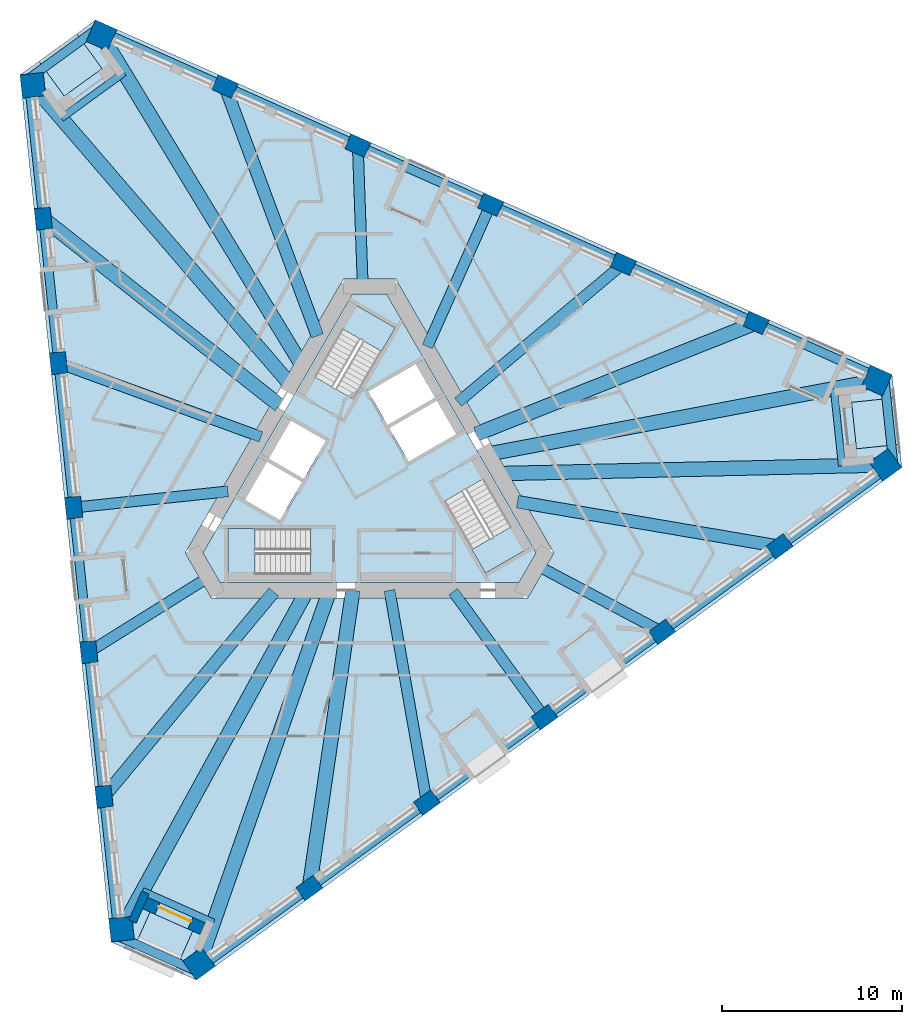
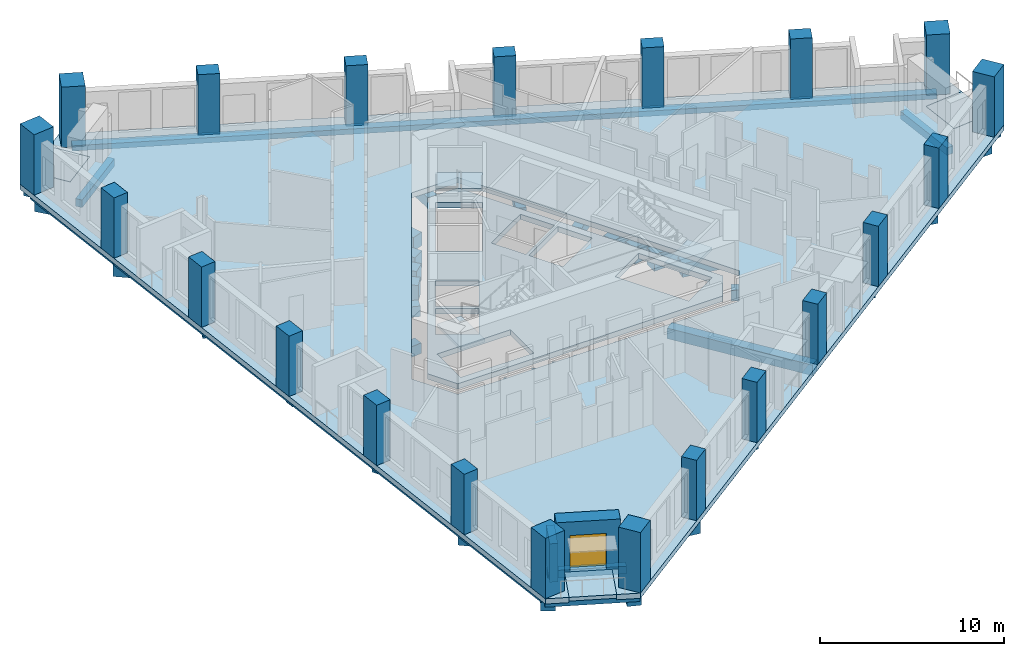
# One storey, part 1 of 14: 30 beams, 21 columns, 8 slabs, 2 walls, 1 door, 1 opening, 3 elements without a shape of their own.
"""IFC4 building model written with IfcOpenShell, lengths in metres."""

from ifc_helpers import new_model, si_unit, direction, frame, frame_2d, origin, origin_2d, place, context, subcontext, project, spatial, polyline, rectangle, outline, extrude, material, layer, layer_set, material_profile, profile_set, type_object, element, fill, aggregate, save


model = new_model("IFC4")

# Units and contexts
model_context = context("Model", 3, precision=1e-05, world=origin(), true_north=direction((0.0, 1.0)))
body_context = subcontext(model_context, "Body", "Model", "MODEL_VIEW")
ifc_project = project(units=[si_unit("LENGTHUNIT", "METRE"), si_unit("AREAUNIT", "SQUARE_METRE"), si_unit("VOLUMEUNIT", "CUBIC_METRE"), si_unit("PLANEANGLEUNIT", "RADIAN"), si_unit("MASSUNIT", "GRAM", prefix="KILO")], contexts=[model_context])

# Site, building, storey
site_placement = place(None, origin())
site = spatial("IfcSite", under=ifc_project, at=site_placement, CompositionType="ELEMENT")
building_placement = place(site_placement, origin())
building = spatial("IfcBuilding", under=site, at=building_placement, Name="Tramontana Tower", CompositionType="ELEMENT")
storey_placement = place(building_placement, frame((0.0, 0.0, 190.800048828125)))
storey = spatial("IfcBuildingStorey", under=building, at=storey_placement, Name="L44", CompositionType="ELEMENT", Elevation=190.800048828125)

# Columns
ifc_material_1 = material(Name="Concrete 55 MPa", Category="concrete")
ifc_material_profile_1 = material_profile(ifc_material_1, rectangle(XDim=1.300048828125, YDim=1.300048828125, at=origin_2d()), Name="Mega column 1300X1300 55 MPa")
ifc_profile_set_1 = profile_set([ifc_material_profile_1], Name="Concrete 55 MPa")
column_type_1 = type_object("IfcColumnType", Name="Mega column 1300X1300 55 MPa", PredefinedType="COLUMN", material=ifc_profile_set_1)
for number, where, z_axis, x_axis, name in (
    (1, (-18.72705078125, 21.760498046875, 0.0), (0.0, 0.0, 1.0), (0.104528463268, -0.994521895368, 0.0), "Mega column C4K1 L44"),
    (2, (-13.793701171875, -25.178466796875, 0.0), (0.0, 0.0, 1.0), (0.104528463268, -0.994521895368, 0.0), "Mega column C4K2 L44"),
    (3, (-9.4814453125, -27.098388671875, 0.0), (0.0, 0.0, 1.0), (0.809016994375, 0.587785252292, 0.0), "Mega column C4K3 L44"),
    (4, (28.7021484375, 0.6435546875, 0.0), (0.0, 0.0, 1.0), (0.809016994375, 0.587785252292, 0.0), "Mega column C4K4 L44"),
    (5, (28.208740234375, 5.337890625, 0.0), (0.0, 0.0, 1.0), (-0.913545457643, 0.406736643076, 0.0), "Mega column C4K5 L44"),
    (6, (-14.908447265625, 24.534912109375, 0.0), (0.0, 0.0, 1.0), (-0.913545457643, 0.406736643076, 0.0), "Mega column C4K6 L44"),
):
    element("IfcColumn", number, at=place(storey_placement, frame(where, z_axis=z_axis, x_axis=x_axis)), inside=storey, type_object=column_type_1, Name=name, PredefinedType="COLUMN", context=body_context, shape_type="SweptSolid", body=[
        extrude(rectangle(XDim=1.300048828125, YDim=1.300048828125, at=origin_2d()), origin(), (0.0, 0.0, 1.0), 4.0),
    ])
ifc_material_2 = material(Name="Concrete 55 MPa", Category="concrete")
ifc_material_profile_2 = material_profile(ifc_material_2, rectangle(XDim=1.199951171875, YDim=0.89990234375, at=origin_2d()), Name="Pier column 1200X900 55 MPa")
ifc_profile_set_2 = profile_set([ifc_material_profile_2], Name="Concrete 55 MPa")
column_type_2 = type_object("IfcColumnType", Name="Pier column 1200X900 55 MPa", PredefinedType="COLUMN", material=ifc_profile_set_2)
for number, where, z_axis, x_axis, name in (
    (7, (-18.149169921875, 14.347412109375, 0.0), (0.0, 0.0, 1.0), (0.104528463268, -0.994521895368, 0.0), "Pier column C4F01 L44"),
    (8, (-17.30419921875, 6.30859375, 0.0), (0.0, 0.0, 1.0), (0.104528463268, -0.994521895368, 0.0), "Pier column C4F02 L44"),
    (9, (-16.459228515625, -1.72998046875, 0.0), (0.0, 0.0, 1.0), (0.104528463268, -0.994521895368, 0.0), "Pier column C4F03 L44"),
    (10, (-15.614501953125, -9.7685546875, 0.0), (0.0, 0.0, 1.0), (0.104528463268, -0.994521895368, 0.0), "Pier column C4F04 L44"),
    (11, (-14.76953125, -17.80712890625, 0.0), (0.0, 0.0, 1.0), (0.104528463268, -0.994521895368, 0.0), "Pier column C4F05 L44"),
    (12, (-3.3505859375, -22.891357421875, 0.0), (0.0, 0.0, 1.0), (0.809016994375, 0.587785252292, 0.0), "Pier column C4F06 L44"),
    (13, (3.188720703125, -18.14013671875, 0.0), (0.0, 0.0, 1.0), (0.809016994375, 0.587785252292, 0.0), "Pier column C4F07 L44"),
    (14, (9.727783203125, -13.38916015625, 0.0), (0.0, 0.0, 1.0), (0.809016994375, 0.587785252292, 0.0), "Pier column C4F08 L44"),
    (15, (16.26708984375, -8.63818359375, 0.0), (0.0, 0.0, 1.0), (0.809016994375, 0.587785252292, 0.0), "Pier column C4F09 L44"),
    (16, (22.80615234375, -3.88720703125, 0.0), (0.0, 0.0, 1.0), (0.809016994375, 0.587785252292, 0.0), "Pier column C4F10 L44"),
    (17, (21.499755859375, 8.5439453125, 0.0), (0.0, 0.0, 1.0), (-0.913545457643, 0.406736643076, 0.0), "Pier column C4F11 L44"),
    (18, (14.115478515625, 11.83154296875, 0.0), (0.0, 0.0, 1.0), (-0.913545457643, 0.406736643076, 0.0), "Pier column C4F12 L44"),
    (19, (6.7314453125, 15.119140625, 0.0), (0.0, 0.0, 1.0), (-0.913545457643, 0.406736643076, 0.0), "Pier column C4F13 L44"),
    (20, (-0.652587890625, 18.40673828125, 0.0), (0.0, 0.0, 1.0), (-0.913545457643, 0.406736643076, 0.0), "Pier column C4F14 L44"),
    (21, (-8.03662109375, 21.6943359375, 0.0), (0.0, 0.0, 1.0), (-0.913545457643, 0.406736643076, 0.0), "Pier column C4F15 L44"),
):
    element("IfcColumn", number, at=place(storey_placement, frame(where, z_axis=z_axis, x_axis=x_axis)), inside=storey, type_object=column_type_2, Name=name, PredefinedType="COLUMN", context=body_context, shape_type="SweptSolid", body=[
        extrude(rectangle(XDim=1.199951171875, YDim=0.89990234375, at=origin_2d()), origin(), (0.0, 0.0, 1.0), 4.0),
    ])

# Beams
ifc_material_3 = material(Name="Concrete 40 MPa", Category="concrete")
ifc_material_profile_3 = material_profile(ifc_material_3, rectangle(XDim=0.5, YDim=0.35009765625, at=origin_2d()), Name="RC EDGE BEAM 500X350 40 MPa")
ifc_profile_set_3 = profile_set([ifc_material_profile_3], Name="Concrete 40 MPa")
beam_type_1 = type_object("IfcBeamType", Name="RC EDGE BEAM 500X350 40 MPa", PredefinedType="SPANDREL", material=ifc_profile_set_3)
for number, where, z_axis, x_axis, name in (
    (22, (-18.926025390625, 21.739501953125, -0.525146484375), (0.104525646884, -0.994522191378, 0.0), (0.994522191378, 0.104525646884, 0.0), "Spandrel beam S0 L44"),
    (23, (-9.364013671875, -27.26025390625, -0.525146484375), (0.809017612716, 0.587784401218, 0.0), (-0.587784401218, 0.809017612716, 0.0), "Spandrel beam S1 L44"),
):
    element("IfcBeam", number, at=place(storey_placement, frame(where, z_axis=z_axis, x_axis=x_axis)), inside=storey, type_object=beam_type_1, Name=name, PredefinedType="SPANDREL", context=body_context, shape_type="SweptSolid", body=[
        extrude(rectangle(XDim=0.5, YDim=0.35009765625, at=origin_2d()), origin(), (0.0, 0.0, 1.0), 47.197509765625),
    ])
beam_1_placement = place(storey_placement, frame((28.2900390625, 5.520751953125, -0.525146484375), z_axis=(-0.913546423332, 0.406734474095, 0.0), x_axis=(-0.406734474095, -0.913546423332, 0.0)))
element("IfcBeam", 24, at=beam_1_placement, inside=storey, type_object=beam_type_1, Name="Spandrel beam S2 L44", PredefinedType="SPANDREL", context=body_context, shape_type="SweptSolid", body=[
    extrude(rectangle(XDim=0.5, YDim=0.35009765625, at=origin_2d()), origin(), (0.0, 0.0, 1.0), 47.197265625),
])
beam_2_placement = place(storey_placement, frame((-14.973388671875, 25.029052734375, -0.525146484375), z_axis=(-0.809008263593, -0.587797268995, 0.0), x_axis=(0.587797268995, -0.809008263593, 0.0)))
element("IfcBeam", 25, at=beam_2_placement, inside=storey, type_object=beam_type_1, Name="Spandrel beam K0 L44", PredefinedType="SPANDREL", context=body_context, shape_type="SweptSolid", body=[
    extrude(rectangle(XDim=0.5, YDim=0.35009765625, at=origin_2d()), origin(), (0.0, 0.0, 1.0), 5.196044921875),
])
for number, where, z_axis, x_axis, name in (
    (26, (-14.189208984375, -25.481689453125, -0.525146484375), (0.91354592127, -0.40673560175, 0.0), (0.40673560175, 0.91354592127, 0.0), "Spandrel beam K1 L44"),
    (27, (29.162353515625, 0.45263671875, -0.525146484375), (-0.104494011766, 0.994525515764, 0.0), (-0.994525515764, -0.104494011766, 0.0), "Spandrel beam K2 L44"),
):
    element("IfcBeam", number, at=place(storey_placement, frame(where, z_axis=z_axis, x_axis=x_axis)), inside=storey, type_object=beam_type_1, Name=name, PredefinedType="SPANDREL", context=body_context, shape_type="SweptSolid", body=[
        extrude(rectangle(XDim=0.5, YDim=0.35009765625, at=origin_2d()), origin(), (0.0, 0.0, 1.0), 5.1962890625),
    ])
ifc_material_4 = material(Name="Concrete 40 MPa", Category="concrete")
ifc_material_profile_4 = material_profile(ifc_material_4, rectangle(XDim=0.60009765625, YDim=0.699951171875, at=origin_2d()), Name="RC GIRDER 600X700 40 MPa")
ifc_profile_set_4 = profile_set([ifc_material_profile_4], Name="Concrete 40 MPa")
beam_type_2 = type_object("IfcBeamType", Name="RC GIRDER 600X700 40 MPa", PredefinedType="BEAM", material=ifc_profile_set_4)
beam_3_placement = place(storey_placement, frame((-17.30419921875, 6.30859375, -0.699951171875), z_axis=(0.939513090247, -0.342512997205, 0.0), x_axis=(0.342512997205, 0.939513090247, 0.0)))
element("IfcBeam", 28, at=beam_3_placement, inside=storey, type_object=beam_type_2, Name="Radial girder C4F02 L44", PredefinedType="BEAM", context=body_context, shape_type="SweptSolid", body=[
    extrude(rectangle(XDim=0.60009765625, YDim=0.699951171875, at=origin_2d()), origin(), (0.0, 0.0, 1.0), 11.989990234375),
])
beam_4_placement = place(storey_placement, frame((-16.459228515625, -1.72998046875, -0.699951171875), z_axis=(0.994520630985, 0.104540492367, 0.0), x_axis=(-0.104540492367, 0.994520630985, 0.0)))
element("IfcBeam", 29, at=beam_4_placement, inside=storey, type_object=beam_type_2, Name="Radial girder C4F03 L44", PredefinedType="BEAM", context=body_context, shape_type="SweptSolid", body=[
    extrude(rectangle(XDim=0.60009765625, YDim=0.699951171875, at=origin_2d()), origin(), (0.0, 0.0, 1.0), 8.631591796875),
])
beam_5_placement = place(storey_placement, frame((-15.614501953125, -9.7685546875, -0.699951171875), z_axis=(0.847767192537, 0.530368539091, 0.0), x_axis=(-0.530368539091, 0.847767192537, 0.0)))
element("IfcBeam", 30, at=beam_5_placement, inside=storey, type_object=beam_type_2, Name="Radial girder C4F04 L44", PredefinedType="BEAM", context=body_context, shape_type="SweptSolid", body=[
    extrude(rectangle(XDim=0.60009765625, YDim=0.699951171875, at=origin_2d()), origin(), (0.0, 0.0, 1.0), 7.83642578125),
])
beam_6_placement = place(storey_placement, frame((3.188720703125, -18.14013671875, -0.699951171875), z_axis=(-0.173139447083, 0.984897320467, 0.0), x_axis=(-0.984897320467, -0.173139447083, 0.0)))
element("IfcBeam", 31, at=beam_6_placement, inside=storey, type_object=beam_type_2, Name="Radial girder C4F07 L44", PredefinedType="BEAM", context=body_context, shape_type="SweptSolid", body=[
    extrude(rectangle(XDim=0.60009765625, YDim=0.699951171875, at=origin_2d()), origin(), (0.0, 0.0, 1.0), 11.989990234375),
])
beam_7_placement = place(storey_placement, frame((9.727783203125, -13.38916015625, -0.699951171875), z_axis=(-0.587793224159, 0.809011202415, 0.0), x_axis=(-0.809011202415, -0.587793224159, 0.0)))
element("IfcBeam", 32, at=beam_7_placement, inside=storey, type_object=beam_type_2, Name="Radial girder C4F08 L44", PredefinedType="BEAM", context=body_context, shape_type="SweptSolid", body=[
    extrude(rectangle(XDim=0.60009765625, YDim=0.699951171875, at=origin_2d()), origin(), (0.0, 0.0, 1.0), 8.63134765625),
])
beam_8_placement = place(storey_placement, frame((16.26708984375, -8.63818359375, -0.699951171875), z_axis=(-0.883198396805, 0.468999564905, 0.0), x_axis=(-0.468999564905, -0.883198396805, 0.0)))
element("IfcBeam", 33, at=beam_8_placement, inside=storey, type_object=beam_type_2, Name="Radial girder C4F09 L44", PredefinedType="BEAM", context=body_context, shape_type="SweptSolid", body=[
    extrude(rectangle(XDim=0.60009765625, YDim=0.699951171875, at=origin_2d()), origin(), (0.0, 0.0, 1.0), 7.83642578125),
])
beam_9_placement = place(storey_placement, frame((14.115478515625, 11.83154296875, -0.699951171875), z_axis=(-0.766377147971, -0.642390898961, 0.0), x_axis=(0.642390898961, -0.766377147971, 0.0)))
element("IfcBeam", 34, at=beam_9_placement, inside=storey, type_object=beam_type_2, Name="Radial girder C4F12 L44", PredefinedType="BEAM", context=body_context, shape_type="SweptSolid", body=[
    extrude(rectangle(XDim=0.60009765625, YDim=0.699951171875, at=origin_2d()), origin(), (0.0, 0.0, 1.0), 11.98974609375),
])
beam_10_placement = place(storey_placement, frame((6.7314453125, 15.119140625, -0.699951171875), z_axis=(-0.406736735655, -0.913545416424, 0.0), x_axis=(0.913545416424, -0.406736735655, 0.0)))
element("IfcBeam", 35, at=beam_10_placement, inside=storey, type_object=beam_type_2, Name="Radial girder C4F13 L44", PredefinedType="BEAM", context=body_context, shape_type="SweptSolid", body=[
    extrude(rectangle(XDim=0.60009765625, YDim=0.699951171875, at=origin_2d()), origin(), (0.0, 0.0, 1.0), 8.631591796875),
])
beam_11_placement = place(storey_placement, frame((-0.652587890625, 18.40673828125, -0.699951171875), z_axis=(0.035422608777, -0.999372422467, 0.0), x_axis=(0.999372422467, 0.035422608777, 0.0)))
element("IfcBeam", 36, at=beam_11_placement, inside=storey, type_object=beam_type_2, Name="Radial girder C4F14 L44", PredefinedType="BEAM", context=body_context, shape_type="SweptSolid", body=[
    extrude(rectangle(XDim=0.60009765625, YDim=0.699951171875, at=origin_2d()), origin(), (0.0, 0.0, 1.0), 7.83642578125),
])
ifc_material_5 = material(Name="Concrete 40 MPa", Category="concrete")
ifc_material_profile_5 = material_profile(ifc_material_5, rectangle(XDim=0.699951171875, YDim=0.89990234375, at=origin_2d()), Name="RC GIRDER 700X900 40 MPa")
ifc_profile_set_5 = profile_set([ifc_material_profile_5], Name="Concrete 40 MPa")
beam_type_3 = type_object("IfcBeamType", Name="RC GIRDER 700X900 40 MPa", PredefinedType="BEAM", material=ifc_profile_set_5)
for number, where, z_axis, x_axis, name in (
    (37, (-14.76953125, -17.80712890625, -0.800048828125), (0.638406477844, 0.769699401745, 0.0), (-0.769699401745, 0.638406477844, 0.0), "Radial girder C4F05 L44"),
    (38, (22.806396484375, -3.88720703125, -0.800048828125), (-0.985783673381, 0.168019490821, 0.0), (-0.168019490821, -0.985783673381, 0.0), "Radial girder C4F10 L44"),
    (39, (-8.03662109375, 21.6943359375, -0.800048828125), (0.347381556139, -0.93772386898, 0.0), (0.93772386898, 0.347381556139, 0.0), "Radial girder C4F15 L44"),
):
    element("IfcBeam", number, at=place(storey_placement, frame(where, z_axis=z_axis, x_axis=x_axis)), inside=storey, type_object=beam_type_3, Name=name, PredefinedType="BEAM", context=body_context, shape_type="SweptSolid", body=[
        extrude(rectangle(XDim=0.699951171875, YDim=0.89990234375, at=origin_2d()), origin(), (0.0, 0.0, 1.0), 14.79052734375),
    ])
ifc_material_6 = material(Name="Concrete 40 MPa", Category="concrete")
ifc_material_profile_6 = material_profile(ifc_material_6, rectangle(XDim=0.800048828125, YDim=1.10009765625, at=origin_2d()), Name="RC GIRDER 800X1100 40 MPa")
ifc_profile_set_6 = profile_set([ifc_material_profile_6], Name="Concrete 40 MPa")
beam_type_4 = type_object("IfcBeamType", Name="RC GIRDER 800X1100 40 MPa", PredefinedType="BEAM", material=ifc_profile_set_6)
beam_12_placement = place(storey_placement, frame((-18.727294921875, 21.760498046875, -0.900146484375), z_axis=(0.652300085393, -0.757960816004, 0.0), x_axis=(0.757960816004, 0.652300085393, 0.0)))
element("IfcBeam", 40, at=beam_12_placement, inside=storey, type_object=beam_type_4, Name="Radial girder C4K1 L44", PredefinedType="BEAM", context=body_context, shape_type="SweptSolid", body=[
    extrude(rectangle(XDim=0.800048828125, YDim=1.10009765625, at=origin_2d()), origin(), (0.0, 0.0, 1.0), 21.983154296875),
])
beam_13_placement = place(storey_placement, frame((-18.149169921875, 14.347412109375, -0.900146484375), z_axis=(0.784478628915, -0.620155852005, 0.0), x_axis=(0.620155852005, 0.784478628915, 0.0)))
element("IfcBeam", 41, at=beam_13_placement, inside=storey, type_object=beam_type_4, Name="Radial girder C4F01 L44", PredefinedType="BEAM", context=body_context, shape_type="SweptSolid", body=[
    extrude(rectangle(XDim=0.800048828125, YDim=1.10009765625, at=origin_2d()), origin(), (0.0, 0.0, 1.0), 16.73828125),
])
beam_14_placement = place(storey_placement, frame((-13.793701171875, -25.178466796875, -0.900146484375), z_axis=(0.480462301802, 0.877015379881, 0.0), x_axis=(-0.877015379881, 0.480462301802, 0.0)))
element("IfcBeam", 42, at=beam_14_placement, inside=storey, type_object=beam_type_4, Name="Radial girder C4K2 L44", PredefinedType="BEAM", context=body_context, shape_type="SweptSolid", body=[
    extrude(rectangle(XDim=0.800048828125, YDim=1.10009765625, at=origin_2d()), origin(), (0.0, 0.0, 1.0), 21.437744140625),
])
beam_15_placement = place(storey_placement, frame((-9.4814453125, -27.098388671875, -0.900146484375), z_axis=(0.330256430983, 0.943891248924, 0.0), x_axis=(-0.943891248924, 0.330256430983, 0.0)))
element("IfcBeam", 43, at=beam_15_placement, inside=storey, type_object=beam_type_4, Name="Radial girder C4K3 L44", PredefinedType="BEAM", context=body_context, shape_type="SweptSolid", body=[
    extrude(rectangle(XDim=0.800048828125, YDim=1.10009765625, at=origin_2d()), origin(), (0.0, 0.0, 1.0), 21.98291015625),
])
beam_16_placement = place(storey_placement, frame((-3.3505859375, -22.891357421875, -0.900146484375), z_axis=(0.144822515675, 0.989457648893, 0.0), x_axis=(-0.989457648893, 0.144822515675, 0.0)))
element("IfcBeam", 44, at=beam_16_placement, inside=storey, type_object=beam_type_4, Name="Radial girder C4F06 L44", PredefinedType="BEAM", context=body_context, shape_type="SweptSolid", body=[
    extrude(rectangle(XDim=0.800048828125, YDim=1.10009765625, at=origin_2d()), origin(), (0.0, 0.0, 1.0), 16.73828125),
])
beam_17_placement = place(storey_placement, frame((28.701904296875, 0.6435546875, -0.900146484375), z_axis=(-0.999748807881, -0.022412521973, 0.0), x_axis=(0.022412521973, -0.999748807881, 0.0)))
element("IfcBeam", 45, at=beam_17_placement, inside=storey, type_object=beam_type_4, Name="Radial girder C4K4 L44", PredefinedType="BEAM", context=body_context, shape_type="SweptSolid", body=[
    extrude(rectangle(XDim=0.800048828125, YDim=1.10009765625, at=origin_2d()), origin(), (0.0, 0.0, 1.0), 21.4375),
])
beam_18_placement = place(storey_placement, frame((28.20849609375, 5.337890625, -0.900146484375), z_axis=(-0.982562021037, -0.185935136045, 0.0), x_axis=(0.185935136045, -0.982562021037, 0.0)))
element("IfcBeam", 46, at=beam_18_placement, inside=storey, type_object=beam_type_4, Name="Radial girder C4K5 L44", PredefinedType="BEAM", context=body_context, shape_type="SweptSolid", body=[
    extrude(rectangle(XDim=0.800048828125, YDim=1.10009765625, at=origin_2d()), origin(), (0.0, 0.0, 1.0), 21.98291015625),
])
beam_19_placement = place(storey_placement, frame((21.499755859375, 8.5439453125, -0.900146484375), z_axis=(-0.929307244414, -0.369307521558, 0.0), x_axis=(0.369307521558, -0.929307244414, 0.0)))
element("IfcBeam", 47, at=beam_19_placement, inside=storey, type_object=beam_type_4, Name="Radial girder C4F11 L44", PredefinedType="BEAM", context=body_context, shape_type="SweptSolid", body=[
    extrude(rectangle(XDim=0.800048828125, YDim=1.10009765625, at=origin_2d()), origin(), (0.0, 0.0, 1.0), 16.738525390625),
])
beam_20_placement = place(storey_placement, frame((-14.908447265625, 24.534912109375, -0.900146484375), z_axis=(0.519297566275, -0.854593492639, 0.0), x_axis=(0.854593492639, 0.519297566275, 0.0)))
element("IfcBeam", 48, at=beam_20_placement, inside=storey, type_object=beam_type_4, Name="Radial girder C4K6 L44", PredefinedType="BEAM", context=body_context, shape_type="SweptSolid", body=[
    extrude(rectangle(XDim=0.800048828125, YDim=1.10009765625, at=origin_2d()), origin(), (0.0, 0.0, 1.0), 21.437744140625),
])
ifc_material_7 = material(Name="Concrete 40 MPa", Category="concrete")
ifc_material_profile_7 = material_profile(ifc_material_7, rectangle(XDim=0.39990234375, YDim=0.5, at=origin_2d()), Name="RC TRIM BEAM 400X500 40 MPa")
ifc_profile_set_7 = profile_set([ifc_material_profile_7], Name="Concrete 40 MPa")
beam_type_5 = type_object("IfcBeamType", Name="RC TRIM BEAM 400X500 40 MPa", PredefinedType="JOIST", material=ifc_profile_set_7)
for number, where, z_axis, x_axis, name in (
    (49, (-13.651611328125, 22.466552734375, -0.60009765625), (-0.808997350037, -0.587812289453, 0.0), (0.587812289453, -0.808997350037, 0.0), "Trimmer beam K0 L44"),
    (50, (-12.630859375, -23.055908203125, -0.60009765625), (0.913548159873, -0.406730573714, 0.0), (0.406730573714, 0.913548159873, 0.0), "Trimmer beam K1 L44"),
):
    element("IfcBeam", number, at=place(storey_placement, frame(where, z_axis=z_axis, x_axis=x_axis)), inside=storey, type_object=beam_type_5, Name=name, PredefinedType="JOIST", context=body_context, shape_type="SweptSolid", body=[
        extrude(rectangle(XDim=0.39990234375, YDim=0.5, at=origin_2d()), origin(), (0.0, 0.0, 1.0), 4.322509765625),
    ])
beam_21_placement = place(storey_placement, frame((26.282470703125, 0.58935546875, -0.60009765625), z_axis=(-0.104552471013, 0.99451937176, 0.0), x_axis=(-0.99451937176, -0.104552471013, 0.0)))
element("IfcBeam", 51, at=beam_21_placement, inside=storey, type_object=beam_type_5, Name="Trimmer beam K2 L44", PredefinedType="JOIST", context=body_context, shape_type="SweptSolid", body=[
    extrude(rectangle(XDim=0.39990234375, YDim=0.5, at=origin_2d()), origin(), (0.0, 0.0, 1.0), 4.322265625),
])

# Slabs
ifc_material_8 = material(Name="Precast concrete 50 MPa", Category="concrete")
ifc_layer_1 = layer(ifc_material_8, 0.25)
ifc_layer_set_1 = layer_set([ifc_layer_1], Name="LT1 Loggia floor tray 250")
slab_type_1 = type_object("IfcSlabType", Name="LT1 Loggia floor tray 250", PredefinedType="FLOOR", material=ifc_layer_set_1)
slab_1_placement = place(storey_placement, frame((0.0, 0.0, -0.25)))
element("IfcSlab", 52, at=slab_1_placement, inside=storey, type_object=slab_type_1, Name="Corner loggia floor L44 K40", PredefinedType="FLOOR", context=body_context, shape_type="SweptSolid", body=[
    extrude(outline(polyline([(-16.287841796875, 24.630126953125), (-14.877197265625, 22.6884765625), (-16.980712890625, 21.16015625), (-18.391357421875, 23.101806640625), (-16.287841796875, 24.630126953125)])), origin(), (0.0, 0.0, 1.0), 0.25),
])
slab_2_placement = place(storey_placement, frame((0.0, 0.0, -0.25)))
element("IfcSlab", 53, at=slab_2_placement, inside=storey, type_object=slab_type_1, Name="Corner loggia floor L44 K41", PredefinedType="FLOOR", context=body_context, shape_type="SweptSolid", body=[
    extrude(outline(polyline([(-13.186279296875, -26.4208984375), (-12.210205078125, -24.228271484375), (-9.8349609375, -25.285888671875), (-10.81103515625, -27.478271484375), (-13.186279296875, -26.4208984375)])), origin(), (0.0, 0.0, 1.0), 0.25),
])
slab_3_placement = place(storey_placement, frame((0.0, 0.0, -0.25)))
element("IfcSlab", 54, at=slab_3_placement, inside=storey, type_object=slab_type_1, Name="Corner loggia floor L44 K42", PredefinedType="FLOOR", context=body_context, shape_type="SweptSolid", body=[
    extrude(outline(polyline([(29.474365234375, 1.790771484375), (27.08740234375, 1.539794921875), (26.815673828125, 4.12548828125), (29.202392578125, 4.37646484375), (29.474365234375, 1.790771484375)])), origin(), (0.0, 0.0, 1.0), 0.25),
])
ifc_material_9 = material(Name="Concrete 40 MPa", Category="concrete")
ifc_layer_2 = layer(ifc_material_9, 0.35009765625)
ifc_layer_set_2 = layer_set([ifc_layer_2], Name="PT FLAT SLAB 350 40 MPa")
slab_type_2 = type_object("IfcSlabType", Name="PT FLAT SLAB 350 40 MPa", PredefinedType="FLOOR", material=ifc_layer_set_2)
slab_4_placement = place(storey_placement, frame((0.0, 0.0, -0.35009765625)))
element("IfcSlab", 55, at=slab_4_placement, inside=storey, type_object=slab_type_2, Name="Floor slab L44", PredefinedType="FLOOR", context=body_context, shape_type="SweptSolid", body=[
    extrude(outline(polyline([(29.202392578125, 4.37646484375), (26.815673828125, 4.12548828125), (27.08740234375, 1.539794921875), (29.474365234375, 1.790771484375), (29.610107421875, 0.499755859375), (-9.625244140625, -28.00634765625), (-10.81103515625, -27.478271484375), (-9.8349609375, -25.285888671875), (-12.210205078125, -24.228271484375), (-13.186279296875, -26.4208984375), (-14.372314453125, -25.892822265625), (-19.441650390625, 22.3388671875), (-18.391357421875, 23.101806640625), (-16.980712890625, 21.16015625), (-14.877197265625, 22.6884765625), (-16.287841796875, 24.630126953125), (-15.23779296875, 25.39306640625), (29.06689453125, 5.66748046875), (29.202392578125, 4.37646484375)]), holes=[polyline([(-10.248046875, -4.25), (-8.8046875, -6.75), (8.8046875, -6.75), (10.248046875, -4.25), (1.443359375, 11.0), (-1.443359375, 11.0), (-10.248046875, -4.25)])]), origin(), (0.0, 0.0, 1.0), 0.35009765625),
])
slab_5_placement = place(storey_placement, frame((0.0, 0.0, -0.35009765625)))
element("IfcSlab", 56, at=slab_5_placement, inside=storey, type_object=slab_type_2, Name="Core floor slab L44", PredefinedType="FLOOR", context=body_context, shape_type="SweptSolid", body=[
    extrude(outline(polyline([(9.2666015625, -4.25), (8.313720703125, -5.89990234375), (-8.313720703125, -5.89990234375), (-9.2666015625, -4.25), (-0.95263671875, 10.14990234375), (0.95263671875, 10.14990234375), (9.2666015625, -4.25)]), holes=[polyline([(8.659912109375, -4.099365234375), (6.35986328125, -0.115478515625), (4.151611328125, -1.390625), (6.451416015625, -5.374267578125), (8.659912109375, -4.099365234375)]), polyline([(3.829833984375, 4.2666015625), (1.101806640625, 2.69140625), (2.177001953125, 0.82958984375), (4.90478515625, 2.404541015625), (3.829833984375, 4.2666015625)]), polyline([(2.65478515625, 6.3017578125), (-0.072998046875, 4.726806640625), (1.001953125, 2.86474609375), (3.729736328125, 4.439697265625), (2.65478515625, 6.3017578125)]), polyline([(-0.77978515625, 9.54931640625), (-3.079833984375, 5.565673828125), (-0.87158203125, 4.29052734375), (1.428466796875, 8.2744140625), (-0.77978515625, 9.54931640625)]), polyline([(-5.689697265625, 1.044921875), (-3.65478515625, -0.130126953125), (-2.4296875, 1.99169921875), (-4.46484375, 3.166748046875), (-5.689697265625, 1.044921875)]), polyline([(-3.280029296875, -5.449951171875), (-3.280029296875, -2.89990234375), (-7.8798828125, -2.89990234375), (-7.8798828125, -5.449951171875), (-3.280029296875, -5.449951171875)]), polyline([(-7.014892578125, -1.25), (-4.979736328125, -2.425048828125), (-3.754638671875, -0.30322265625), (-5.789794921875, 0.87158203125), (-7.014892578125, -1.25)])]), origin(), (0.0, 0.0, 1.0), 0.35009765625),
])

# Stair, slab
ifc_material_10 = material(Name="Concrete 40 MPa", Category="concrete")
stair_type = type_object("IfcStairType", Name="EXIT STAIR 24 RISERS", PredefinedType="HALF_TURN_STAIR", material=ifc_material_10)
stair_1_placement = place(storey_placement, origin())
stair_1 = element("IfcStair", 57, at=stair_1_placement, inside=storey, type_object=stair_type, Name="L44 Exit stair ST1", PredefinedType="HALF_TURN_STAIR")
ifc_material_11 = material(Name="Concrete 40 MPa", Category="concrete")
ifc_layer_3 = layer(ifc_material_11, 0.199951171875)
ifc_layer_set_3 = layer_set([ifc_layer_3], Name="STAIR LANDING 200")
slab_type_3 = type_object("IfcSlabType", Name="STAIR LANDING 200", PredefinedType="LANDING", material=ifc_layer_set_3)
slab_6_placement = place(storey_placement, frame((0.0, 0.0, 1.800048828125)))
slab_6 = element("IfcSlab", 58, at=slab_6_placement, type_object=slab_type_3, Name="ST1 landing 1", PredefinedType="LANDING", context=body_context, shape_type="SweptSolid", body=[
    extrude(outline(polyline([(0.66845703125, 6.9580078125), (1.428466796875, 8.274169921875), (-0.77978515625, 9.54931640625), (-1.539794921875, 8.23291015625), (0.66845703125, 6.9580078125)])), origin(), (0.0, 0.0, 1.0), 0.199951171875),
])
aggregate(stair_1, [slab_6])

stair_2_placement = place(storey_placement, origin())
stair_2 = element("IfcStair", 59, at=stair_2_placement, inside=storey, type_object=stair_type, Name="L44 Exit stair ST2", PredefinedType="HALF_TURN_STAIR")
slab_7_placement = place(storey_placement, frame((0.0, 0.0, 1.800048828125)))
slab_7 = element("IfcSlab", 60, at=slab_7_placement, type_object=slab_type_3, Name="ST2 landing 1", PredefinedType="LANDING", context=body_context, shape_type="SweptSolid", body=[
    extrude(outline(polyline([(-6.360107421875, -2.89990234375), (-7.8798828125, -2.89990234375), (-7.8798828125, -5.449951171875), (-6.360107421875, -5.449951171875), (-6.360107421875, -2.89990234375)])), origin(), (0.0, 0.0, 1.0), 0.199951171875),
])
aggregate(stair_2, [slab_7])

stair_3_placement = place(storey_placement, origin())
stair_3 = element("IfcStair", 61, at=stair_3_placement, inside=storey, type_object=stair_type, Name="L44 Exit stair ST3", PredefinedType="HALF_TURN_STAIR")
slab_8_placement = place(storey_placement, frame((0.0, 0.0, 1.800048828125)))
slab_8 = element("IfcSlab", 62, at=slab_8_placement, type_object=slab_type_3, Name="ST3 landing 1", PredefinedType="LANDING", context=body_context, shape_type="SweptSolid", body=[
    extrude(outline(polyline([(5.69140625, -4.057861328125), (6.451416015625, -5.374267578125), (8.659912109375, -4.099365234375), (7.89990234375, -2.782958984375), (5.69140625, -4.057861328125)])), origin(), (0.0, 0.0, 1.0), 0.199951171875),
])
aggregate(stair_3, [slab_8])

# Wall
ifc_material_12 = material(Name="Precast concrete 60 MPa", Category="concrete")
ifc_layer_4 = layer(ifc_material_12, 0.449951171875)
ifc_layer_set_4 = layer_set([ifc_layer_4], Name="Precast concrete 60 MPa, 450 mm")
wall_type_1 = type_object("IfcWallType", Name="EW1 Stone-faced precast wall 450", PredefinedType="SOLIDWALL", material=ifc_layer_set_4)
wall_1_placement = place(storey_placement, frame((-13.184326171875, -24.757080078125, 0.0), z_axis=(0.0, 0.0, 1.0), x_axis=(0.406698557215, 0.913562413609, 0.0)))
element("IfcWall", 63, at=wall_1_placement, inside=storey, type_object=wall_type_1, Name="Corner loggia side wall L44 K41r", PredefinedType="SOLIDWALL", context=body_context, shape_type="SweptSolid", body=[
    extrude(rectangle(XDim=1.779296875, YDim=0.449951171875, at=frame_2d((0.8896484375, 0.0))), origin(), (0.0, 0.0, 1.0), 2.550048828125),
])

# Wall, opening, door
ifc_material_13 = material(Name="Precast concrete 60 MPa", Category="concrete")
ifc_layer_5 = layer(ifc_material_13, 0.89990234375)
ifc_layer_set_5 = layer_set([ifc_layer_5], Name="EW2 Stone-faced corner loggia wall 900")
wall_type_2 = type_object("IfcWallType", Name="EW2 Stone-faced corner loggia wall 900", PredefinedType="SOLIDWALL", material=ifc_layer_set_5)
wall_2_placement = place(storey_placement, frame((-9.24072265625, -25.057861328125, 0.0), z_axis=(0.0, 0.0, 1.0), x_axis=(-0.913549606868, 0.406727323635, 0.0)))
wall_2 = element("IfcWall", 64, at=wall_2_placement, inside=storey, type_object=wall_type_2, Name="Corner loggia wall L44 K41", PredefinedType="SOLIDWALL", context=body_context, shape_type="SweptSolid", body=[
    extrude(rectangle(XDim=3.5, YDim=0.89990234375, at=frame_2d((1.75, 0.0))), origin(), (0.0, 0.0, 1.0), 3.300048828125),
])
opening_placement = place(wall_2_placement, frame((0.75, 0.0, 0.0)))
opening = element("IfcOpeningElement", 65, at=opening_placement, cuts=wall_2, Name="Opening BD-41C", PredefinedType="OPENING", context=body_context, shape_type="SweptSolid", body=[
    extrude(rectangle(XDim=2.0, YDim=2.39990234375, at=frame_2d((1.0, 1.199951171875))), frame((0.0, 0.4599609375, 0.0), z_axis=(0.0, -1.0, 0.0), x_axis=(1.0, 0.0, 0.0)), (0.0, 0.0, 1.0), 0.919921875),
])
ifc_material_14 = material(Name="Aluminum frame, double glazing unit", Category="aluminium")
door_type = type_object("IfcDoorType", Name="BC1 Sliding door 2 x 2.4", OperationType="SLIDING_TO_LEFT", PredefinedType="DOOR", material=ifc_material_14)
door_placement = place(opening_placement, origin())
door = element("IfcDoor", 66, at=door_placement, inside=storey, type_object=door_type, Name="Corner loggia door L44 K41", OperationType="SLIDING_TO_LEFT", OverallHeight=2.39990234375, OverallWidth=2.0, PredefinedType="DOOR", context=body_context, shape_type="SweptSolid", body=[
    extrude(rectangle(XDim=2.0, YDim=2.39990234375, at=frame_2d((1.0, 1.199951171875))), frame((0.0, 0.02490234375, 0.0), z_axis=(0.0, -1.0, 0.0), x_axis=(1.0, 0.0, 0.0)), (0.0, 0.0, 1.0), 0.050048828125),
])
fill(opening, door)

save(model, "model.ifc")
